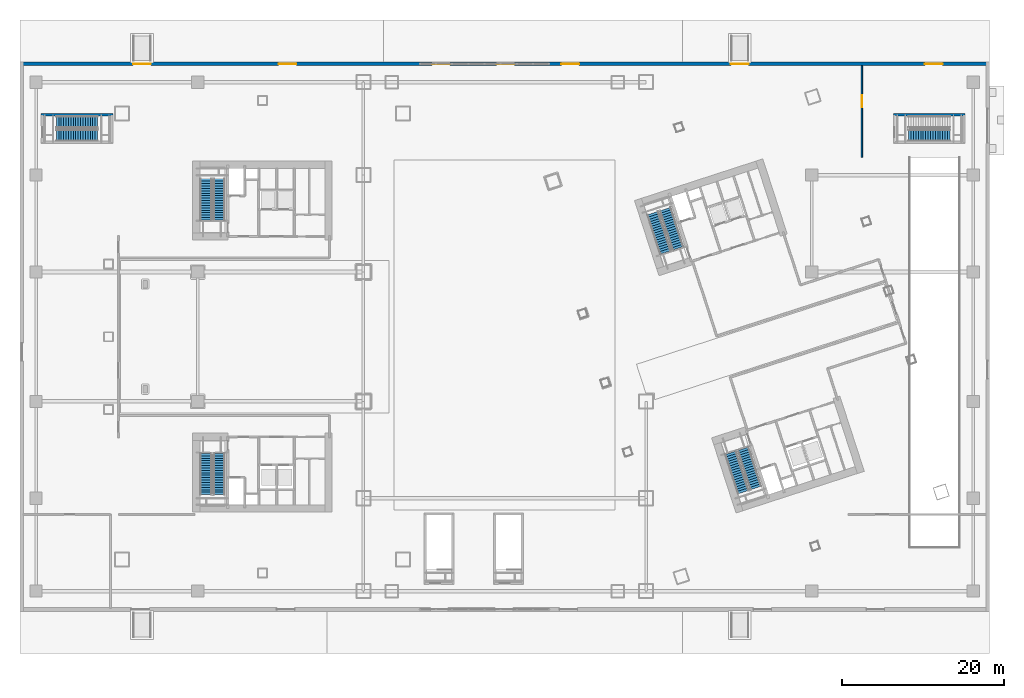
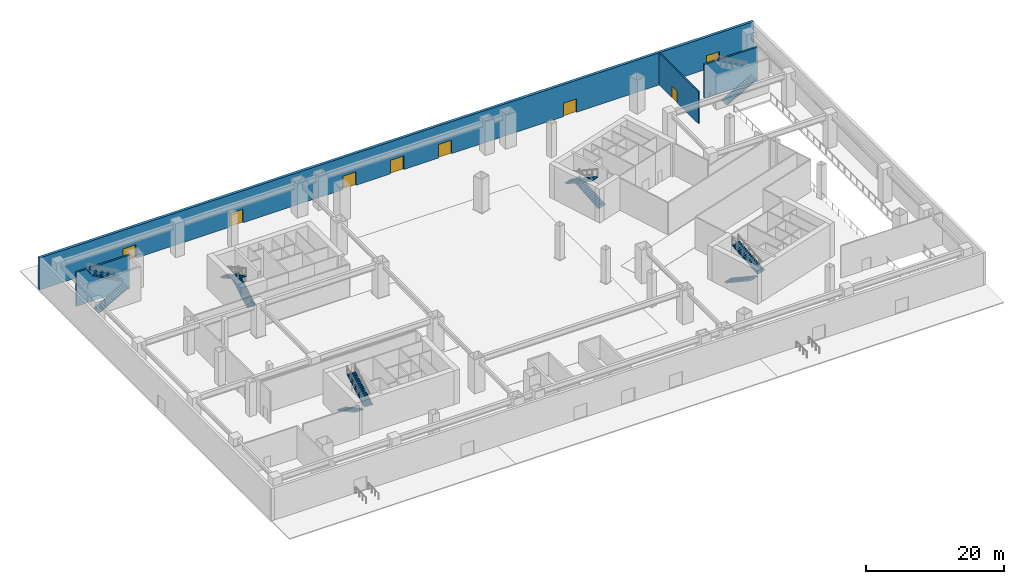
# One storey, part 18 of 31: 11 stair flights, 8 doors, 4 walls, 8 openings, 6 elements without a shape of their own.
"""IFC4 building model written with IfcOpenShell, lengths in metres."""

from ifc_helpers import new_model, si_unit, direction, frame, frame_2d, origin, place, context, subcontext, project, spatial, polyline, rectangle, outline, extrude, material, layer, layer_set, type_object, element, fill, aggregate, save


model = new_model("IFC4")

# Units and contexts
model_context = context("Model", 3, precision=1e-05, world=origin(), true_north=direction((0.0, 1.0)))
body_context = subcontext(model_context, "Body", "Model", "MODEL_VIEW")
ifc_project = project(units=[si_unit("LENGTHUNIT", "METRE"), si_unit("AREAUNIT", "SQUARE_METRE"), si_unit("VOLUMEUNIT", "CUBIC_METRE"), si_unit("PLANEANGLEUNIT", "RADIAN"), si_unit("MASSUNIT", "GRAM", prefix="KILO")], contexts=[model_context])

# Site, building, storey
site_placement = place(None, origin())
site = spatial("IfcSite", under=ifc_project, at=site_placement, CompositionType="ELEMENT")
building_placement = place(site_placement, origin())
building = spatial("IfcBuilding", under=site, at=building_placement, Name="Qiaolan Cultural Towers", CompositionType="ELEMENT")
storey_placement = place(building_placement, origin())
storey = spatial("IfcBuildingStorey", under=building, at=storey_placement, Name="L00", CompositionType="ELEMENT", Elevation=0.0)

# Walls
ifc_material_1 = material(Name="Concrete C50", Category="concrete")
ifc_layer_1 = layer(ifc_material_1, 0.35009765625)
ifc_layer_set_1 = layer_set([ifc_layer_1], Name="Concrete C50")
wall_type_1 = type_object("IfcWallType", Name="WL-CORE-350", PredefinedType="SHEAR", material=ifc_layer_set_1)
for number, where, z_axis, x_axis, name in (
    (1, (2.60009765625, 61.449951171875, 0.0), (0.0, 0.0, 1.0), (1.0, 0.0, 0.0), "L00 STP1 Stair Shaft Wall N"),
    (2, (108.10009765625, 61.449951171875, 0.0), (0.0, 0.0, 1.0), (1.0, 0.0, 0.0), "L00 STP2 Stair Shaft Wall N"),
):
    element("IfcWall", number, at=place(storey_placement, frame(where, z_axis=z_axis, x_axis=x_axis)), inside=storey, type_object=wall_type_1, Name=name, PredefinedType="SHEAR", context=body_context, shape_type="SweptSolid", body=[
        extrude(rectangle(XDim=8.89990234375, YDim=0.300048828125, at=frame_2d((4.449951171875, 0.0))), origin(), (0.0, 0.0, 1.0), 6.0),
    ])

# Wall, openings, doors
ifc_material_2 = material(Name="Precast Concrete C50 Bush-Hammered Granite Pier", Category="masonry")
ifc_layer_2 = layer(ifc_material_2, 0.449951171875)
ifc_layer_set_2 = layer_set([ifc_layer_2], Name="Precast Concrete C50 Bush-Hammered Granite Pier")
wall_type_2 = type_object("IfcWallType", Name="WL-EXT-POD-450", PredefinedType="SOLIDWALL", material=ifc_layer_set_2)
wall_1_placement = place(storey_placement, frame((0.0, 67.77490234375, 0.0), z_axis=(0.0, 0.0, 1.0), x_axis=(1.0, 0.0, 0.0)))
wall_1 = element("IfcWall", 3, at=wall_1_placement, inside=storey, type_object=wall_type_2, Name="L00 Podium Precast Facade Wall NORTH", PredefinedType="SOLIDWALL", context=body_context, shape_type="SweptSolid", body=[
    extrude(rectangle(XDim=120.0, YDim=0.449951171875, at=frame_2d((60.0, 0.0))), origin(), (0.0, 0.0, 1.0), 5.699951171875),
])
opening_1_placement = place(wall_1_placement, frame((14.0, 0.0, 0.0)))
opening_1 = element("IfcOpeningElement", 4, at=opening_1_placement, cuts=wall_1, Name="Opening EX-08", PredefinedType="OPENING", context=body_context, shape_type="SweptSolid", body=[
    extrude(rectangle(XDim=2.199951171875, YDim=2.39990234375, at=frame_2d((1.10009765625, 1.199951171875))), frame((0.0, 0.23486328125, 0.0), z_axis=(0.0, -1.0, 0.0), x_axis=(1.0, 0.0, 0.0)), (0.0, 0.0, 1.0), 0.469970703125),
])
opening_2_placement = place(wall_1_placement, frame((32.0, 0.0, 0.0)))
opening_2 = element("IfcOpeningElement", 5, at=opening_2_placement, cuts=wall_1, Name="Opening EX-09", PredefinedType="OPENING", context=body_context, shape_type="SweptSolid", body=[
    extrude(rectangle(XDim=2.199951171875, YDim=2.39990234375, at=frame_2d((1.10009765625, 1.199951171875))), frame((0.0, 0.23486328125, 0.0), z_axis=(0.0, -1.0, 0.0), x_axis=(1.0, 0.0, 0.0)), (0.0, 0.0, 1.0), 0.469970703125),
])
opening_3_placement = place(wall_1_placement, frame((51.0, 0.0, 0.0)))
opening_3 = element("IfcOpeningElement", 6, at=opening_3_placement, cuts=wall_1, Name="Opening EX-10", PredefinedType="OPENING", context=body_context, shape_type="SweptSolid", body=[
    extrude(rectangle(XDim=2.199951171875, YDim=2.39990234375, at=frame_2d((1.10009765625, 1.199951171875))), frame((0.0, 0.23486328125, 0.0), z_axis=(0.0, -1.0, 0.0), x_axis=(1.0, 0.0, 0.0)), (0.0, 0.0, 1.0), 0.469970703125),
])
opening_4_placement = place(wall_1_placement, frame((59.0, 0.0, 0.0)))
opening_4 = element("IfcOpeningElement", 7, at=opening_4_placement, cuts=wall_1, Name="Opening EX-11", PredefinedType="OPENING", context=body_context, shape_type="SweptSolid", body=[
    extrude(rectangle(XDim=2.199951171875, YDim=2.39990234375, at=frame_2d((1.10009765625, 1.199951171875))), frame((0.0, 0.23486328125, 0.0), z_axis=(0.0, -1.0, 0.0), x_axis=(1.0, 0.0, 0.0)), (0.0, 0.0, 1.0), 0.469970703125),
])
opening_5_placement = place(wall_1_placement, frame((67.0, 0.0, 0.0)))
opening_5 = element("IfcOpeningElement", 8, at=opening_5_placement, cuts=wall_1, Name="Opening EX-12", PredefinedType="OPENING", context=body_context, shape_type="SweptSolid", body=[
    extrude(rectangle(XDim=2.199951171875, YDim=2.39990234375, at=frame_2d((1.10009765625, 1.199951171875))), frame((0.0, 0.23486328125, 0.0), z_axis=(0.0, -1.0, 0.0), x_axis=(1.0, 0.0, 0.0)), (0.0, 0.0, 1.0), 0.469970703125),
])
opening_6_placement = place(wall_1_placement, frame((88.0, 0.0, 0.0)))
opening_6 = element("IfcOpeningElement", 9, at=opening_6_placement, cuts=wall_1, Name="Opening EX-13", PredefinedType="OPENING", context=body_context, shape_type="SweptSolid", body=[
    extrude(rectangle(XDim=2.199951171875, YDim=2.39990234375, at=frame_2d((1.10009765625, 1.199951171875))), frame((0.0, 0.23486328125, 0.0), z_axis=(0.0, -1.0, 0.0), x_axis=(1.0, 0.0, 0.0)), (0.0, 0.0, 1.0), 0.469970703125),
])
opening_7_placement = place(wall_1_placement, frame((112.0, 0.0, 0.0)))
opening_7 = element("IfcOpeningElement", 10, at=opening_7_placement, cuts=wall_1, Name="Opening EX-14", PredefinedType="OPENING", context=body_context, shape_type="SweptSolid", body=[
    extrude(rectangle(XDim=2.199951171875, YDim=2.39990234375, at=frame_2d((1.10009765625, 1.199951171875))), frame((0.0, 0.23486328125, 0.0), z_axis=(0.0, -1.0, 0.0), x_axis=(1.0, 0.0, 0.0)), (0.0, 0.0, 1.0), 0.469970703125),
])
ifc_material_3 = material(Name="Anodized Aluminium Framed Tempered Glass Exit Door", Category="aluminium")
door_type_1 = type_object("IfcDoorType", Name="DR-EXIT-2200", OperationType="NOTDEFINED", PredefinedType="DOOR", material=ifc_material_3)
door_1_placement = place(opening_1_placement, origin())
door_1 = element("IfcDoor", 11, at=door_1_placement, inside=storey, type_object=door_type_1, Name="West Lobby North Exit Door EX-08", OperationType="SINGLE_SWING_RIGHT", OverallHeight=2.39990234375, OverallWidth=2.199951171875, PredefinedType="DOOR", context=body_context, shape_type="SweptSolid", body=[
    extrude(rectangle(XDim=2.199951171875, YDim=2.39990234375, at=frame_2d((1.10009765625, 1.199951171875))), frame((0.0, 0.02490234375, 0.0), z_axis=(0.0, -1.0, 0.0), x_axis=(1.0, 0.0, 0.0)), (0.0, 0.0, 1.0), 0.050048828125),
])
fill(opening_1, door_1)
door_2_placement = place(opening_2_placement, origin())
door_2 = element("IfcDoor", 12, at=door_2_placement, inside=storey, type_object=door_type_1, Name="North Civic Arcade Exit Door EX-09", OperationType="SINGLE_SWING_LEFT", OverallHeight=2.39990234375, OverallWidth=2.199951171875, PredefinedType="DOOR", context=body_context, shape_type="SweptSolid", body=[
    extrude(rectangle(XDim=2.199951171875, YDim=2.39990234375, at=frame_2d((1.10009765625, 1.199951171875))), frame((0.0, 0.02490234375, 0.0), z_axis=(0.0, -1.0, 0.0), x_axis=(1.0, 0.0, 0.0)), (0.0, 0.0, 1.0), 0.050048828125),
])
fill(opening_2, door_2)
door_3_placement = place(opening_3_placement, origin())
door_3 = element("IfcDoor", 13, at=door_3_placement, inside=storey, type_object=door_type_1, Name="Metro Concourse North Exit Door EX-10", OperationType="SINGLE_SWING_RIGHT", OverallHeight=2.39990234375, OverallWidth=2.199951171875, PredefinedType="DOOR", context=body_context, shape_type="SweptSolid", body=[
    extrude(rectangle(XDim=2.199951171875, YDim=2.39990234375, at=frame_2d((1.10009765625, 1.199951171875))), frame((0.0, 0.02490234375, 0.0), z_axis=(0.0, -1.0, 0.0), x_axis=(1.0, 0.0, 0.0)), (0.0, 0.0, 1.0), 0.050048828125),
])
fill(opening_3, door_3)
door_4_placement = place(opening_4_placement, origin())
door_4 = element("IfcDoor", 14, at=door_4_placement, inside=storey, type_object=door_type_1, Name="Metro Concourse North Exit Door EX-11", OperationType="SINGLE_SWING_LEFT", OverallHeight=2.39990234375, OverallWidth=2.199951171875, PredefinedType="DOOR", context=body_context, shape_type="SweptSolid", body=[
    extrude(rectangle(XDim=2.199951171875, YDim=2.39990234375, at=frame_2d((1.10009765625, 1.199951171875))), frame((0.0, 0.02490234375, 0.0), z_axis=(0.0, -1.0, 0.0), x_axis=(1.0, 0.0, 0.0)), (0.0, 0.0, 1.0), 0.050048828125),
])
fill(opening_4, door_4)
door_5_placement = place(opening_5_placement, origin())
door_5 = element("IfcDoor", 15, at=door_5_placement, inside=storey, type_object=door_type_1, Name="Metro Concourse North Exit Door EX-12", OperationType="SINGLE_SWING_RIGHT", OverallHeight=2.39990234375, OverallWidth=2.199951171875, PredefinedType="DOOR", context=body_context, shape_type="SweptSolid", body=[
    extrude(rectangle(XDim=2.199951171875, YDim=2.39990234375, at=frame_2d((1.10009765625, 1.199951171875))), frame((0.0, 0.02490234375, 0.0), z_axis=(0.0, -1.0, 0.0), x_axis=(1.0, 0.0, 0.0)), (0.0, 0.0, 1.0), 0.050048828125),
])
fill(opening_5, door_5)
door_6_placement = place(opening_6_placement, origin())
door_6 = element("IfcDoor", 16, at=door_6_placement, inside=storey, type_object=door_type_1, Name="East Lobby North Exit Door EX-13", OperationType="SINGLE_SWING_LEFT", OverallHeight=2.39990234375, OverallWidth=2.199951171875, PredefinedType="DOOR", context=body_context, shape_type="SweptSolid", body=[
    extrude(rectangle(XDim=2.199951171875, YDim=2.39990234375, at=frame_2d((1.10009765625, 1.199951171875))), frame((0.0, 0.02490234375, 0.0), z_axis=(0.0, -1.0, 0.0), x_axis=(1.0, 0.0, 0.0)), (0.0, 0.0, 1.0), 0.050048828125),
])
fill(opening_6, door_6)
door_7_placement = place(opening_7_placement, origin())
door_7 = element("IfcDoor", 17, at=door_7_placement, inside=storey, type_object=door_type_1, Name="Northeast Stair Discharge Exit Door EX-14", OperationType="SINGLE_SWING_RIGHT", OverallHeight=2.39990234375, OverallWidth=2.199951171875, PredefinedType="DOOR", context=body_context, shape_type="SweptSolid", body=[
    extrude(rectangle(XDim=2.199951171875, YDim=2.39990234375, at=frame_2d((1.10009765625, 1.199951171875))), frame((0.0, 0.02490234375, 0.0), z_axis=(0.0, -1.0, 0.0), x_axis=(1.0, 0.0, 0.0)), (0.0, 0.0, 1.0), 0.050048828125),
])
fill(opening_7, door_7)

# Wall, opening, door
ifc_material_4 = material(Name="Concrete C35 Fire Wall", Category="concrete")
ifc_layer_3 = layer(ifc_material_4, 0.199951171875)
ifc_layer_set_3 = layer_set([ifc_layer_3], Name="Concrete C35 Fire Wall")
wall_type_3 = type_object("IfcWallType", Name="WL-FIRE-200", PredefinedType="PARTITIONING", material=ifc_layer_set_3)
wall_2_placement = place(storey_placement, frame((104.199951171875, 56.199951171875, 0.0), z_axis=(0.0, 0.0, 1.0), x_axis=(0.0, 1.0, 0.0)))
wall_2 = element("IfcWall", 18, at=wall_2_placement, inside=storey, type_object=wall_type_3, Name="L00 Podium Partition L00-NE-EXW", PredefinedType="PARTITIONING", context=body_context, shape_type="SweptSolid", body=[
    extrude(rectangle(XDim=11.35009765625, YDim=0.199951171875, at=frame_2d((5.675048828125, 0.0))), origin(), (0.0, 0.0, 1.0), 5.68505859375),
])
opening_8_placement = place(wall_2_placement, frame((6.199951171875, 0.0, 0.0)))
opening_8 = element("IfcOpeningElement", 19, at=opening_8_placement, cuts=wall_2, Name="Opening FD-02", PredefinedType="OPENING", context=body_context, shape_type="SweptSolid", body=[
    extrude(rectangle(XDim=1.5, YDim=2.050048828125, at=frame_2d((0.75, 1.02490234375))), frame((0.0, 0.10986328125, 0.0), z_axis=(0.0, -1.0, 0.0), x_axis=(1.0, 0.0, 0.0)), (0.0, 0.0, 1.0), 0.219970703125),
])
ifc_material_5 = material(Name="Galvanized Steel Double Fire Door", Category="steel")
door_type_2 = type_object("IfcDoorType", Name="DR-FD90-1500", OperationType="NOTDEFINED", PredefinedType="DOOR", material=ifc_material_5)
door_8_placement = place(opening_8_placement, origin())
door_8 = element("IfcDoor", 20, at=door_8_placement, inside=storey, type_object=door_type_2, Name="Northeast Protected Stair Exit Corridor Fire Door", OperationType="SINGLE_SWING_LEFT", OverallHeight=2.050048828125, OverallWidth=1.5, PredefinedType="DOOR", context=body_context, shape_type="SweptSolid", body=[
    extrude(rectangle(XDim=1.5, YDim=2.050048828125, at=frame_2d((0.75, 1.02490234375))), frame((0.0, 0.02490234375, 0.0), z_axis=(0.0, -1.0, 0.0), x_axis=(1.0, 0.0, 0.0)), (0.0, 0.0, 1.0), 0.050048828125),
])
fill(opening_8, door_8)

# Stair, stair flights
ifc_material_6 = material(Name="Concrete C45", Category="concrete")
stair_type_1 = type_object("IfcStairType", Name="STR-CORE-1500", PredefinedType="HALF_TURN_STAIR", material=ifc_material_6)
stair_1_placement = place(storey_placement, origin())
stair_1 = element("IfcStair", 21, at=stair_1_placement, inside=storey, type_object=stair_type_1, Name="L00 Smokeproof Exit Stair ST-W1", PredefinedType="HALF_TURN_STAIR")
ifc_material_7 = material(Name="Concrete C45", Category="concrete")
stair_flight_type_1 = type_object("IfcStairFlightType", Name="STR-CORE-1500-FL", PredefinedType="STRAIGHT", material=ifc_material_7)
stair_flight_1_placement = place(storey_placement, frame((23.02001953125, 19.550048828125, 0.0), z_axis=(0.0, 0.0, 1.0), x_axis=(0.0, -1.0, 0.0)))
stair_flight_1 = element("IfcStairFlight", 22, at=stair_flight_1_placement, type_object=stair_flight_type_1, Name="ST-W1 flight 1", NumberOfRisers=18, NumberOfTreads=17, PredefinedType="STRAIGHT", RiserHeight=0.166666667, TreadLength=0.3, context=body_context, shape_type="SweptSolid", body=[
    extrude(outline(polyline([(0.0, 0.0), (0.0, 0.166748046875), (0.300048828125, 0.166748046875), (0.300048828125, 0.333251953125), (0.60009765625, 0.333251953125), (0.60009765625, 0.5), (0.89990234375, 0.5), (0.89990234375, 0.666748046875), (1.199951171875, 0.666748046875), (1.199951171875, 0.833251953125), (1.5, 0.833251953125), (1.5, 1.0), (1.800048828125, 1.0), (1.800048828125, 1.166748046875), (2.10009765625, 1.166748046875), (2.10009765625, 1.333251953125), (2.39990234375, 1.333251953125), (2.39990234375, 1.5), (2.699951171875, 1.5), (2.699951171875, 1.666748046875), (3.0, 1.666748046875), (3.0, 1.833251953125), (3.300048828125, 1.833251953125), (3.300048828125, 2.0), (3.60009765625, 2.0), (3.60009765625, 2.166748046875), (3.89990234375, 2.166748046875), (3.89990234375, 2.333251953125), (4.199951171875, 2.333251953125), (4.199951171875, 2.5), (4.5, 2.5), (4.5, 2.666748046875), (4.800048828125, 2.666748046875), (4.800048828125, 2.833251953125), (5.10009765625, 2.833251953125), (5.10009765625, 3.0), (5.10009765625, 2.661865234375), (0.30859375, 0.0), (0.0, 0.0)])), frame((0.0, 0.719970703125, 0.0), z_axis=(0.0, -1.0, 0.0), x_axis=(1.0, 0.0, 0.0)), (0.0, 0.0, 1.0), 1.43994140625),
])
stair_flight_2_placement = place(storey_placement, frame((24.659912109375, 14.449951171875, 3.0), z_axis=(0.0, 0.0, 1.0), x_axis=(0.0, 1.0, 0.0)))
stair_flight_2 = element("IfcStairFlight", 23, at=stair_flight_2_placement, type_object=stair_flight_type_1, Name="ST-W1 flight 2", NumberOfRisers=18, NumberOfTreads=17, PredefinedType="STRAIGHT", RiserHeight=0.166666667, TreadLength=0.3, context=body_context, shape_type="SweptSolid", body=[
    extrude(outline(polyline([(0.0, 0.0), (0.0, 0.166748046875), (0.300048828125, 0.166748046875), (0.300048828125, 0.333251953125), (0.60009765625, 0.333251953125), (0.60009765625, 0.5), (0.89990234375, 0.5), (0.89990234375, 0.666748046875), (1.199951171875, 0.666748046875), (1.199951171875, 0.833251953125), (1.5, 0.833251953125), (1.5, 1.0), (1.800048828125, 1.0), (1.800048828125, 1.166748046875), (2.10009765625, 1.166748046875), (2.10009765625, 1.333251953125), (2.39990234375, 1.333251953125), (2.39990234375, 1.5), (2.699951171875, 1.5), (2.699951171875, 1.666748046875), (3.0, 1.666748046875), (3.0, 1.833251953125), (3.300048828125, 1.833251953125), (3.300048828125, 2.0), (3.60009765625, 2.0), (3.60009765625, 2.166748046875), (3.89990234375, 2.166748046875), (3.89990234375, 2.333251953125), (4.199951171875, 2.333251953125), (4.199951171875, 2.5), (4.5, 2.5), (4.5, 2.666748046875), (4.800048828125, 2.666748046875), (4.800048828125, 2.833251953125), (5.10009765625, 2.833251953125), (5.10009765625, 3.0), (5.10009765625, 2.661865234375), (0.30859375, 0.0), (0.0, 0.0)])), frame((0.0, 0.719970703125, 0.0), z_axis=(0.0, -1.0, 0.0), x_axis=(1.0, 0.0, 0.0)), (0.0, 0.0, 1.0), 1.43994140625),
])
aggregate(stair_1, [stair_flight_1, stair_flight_2])

stair_2_placement = place(storey_placement, origin())
stair_2 = element("IfcStair", 24, at=stair_2_placement, inside=storey, type_object=stair_type_1, Name="L00 Smokeproof Exit Stair ST-W2", PredefinedType="HALF_TURN_STAIR")
stair_flight_3_placement = place(storey_placement, frame((24.659912109375, 48.449951171875, 0.0), z_axis=(0.0, 0.0, 1.0), x_axis=(0.0, 1.0, 0.0)))
stair_flight_3 = element("IfcStairFlight", 25, at=stair_flight_3_placement, type_object=stair_flight_type_1, Name="ST-W2 flight 1", NumberOfRisers=18, NumberOfTreads=17, PredefinedType="STRAIGHT", RiserHeight=0.166666667, TreadLength=0.3, context=body_context, shape_type="SweptSolid", body=[
    extrude(outline(polyline([(0.0, 0.0), (0.0, 0.166748046875), (0.300048828125, 0.166748046875), (0.300048828125, 0.333251953125), (0.60009765625, 0.333251953125), (0.60009765625, 0.5), (0.89990234375, 0.5), (0.89990234375, 0.666748046875), (1.199951171875, 0.666748046875), (1.199951171875, 0.833251953125), (1.5, 0.833251953125), (1.5, 1.0), (1.800048828125, 1.0), (1.800048828125, 1.166748046875), (2.10009765625, 1.166748046875), (2.10009765625, 1.333251953125), (2.39990234375, 1.333251953125), (2.39990234375, 1.5), (2.699951171875, 1.5), (2.699951171875, 1.666748046875), (3.0, 1.666748046875), (3.0, 1.833251953125), (3.300048828125, 1.833251953125), (3.300048828125, 2.0), (3.60009765625, 2.0), (3.60009765625, 2.166748046875), (3.89990234375, 2.166748046875), (3.89990234375, 2.333251953125), (4.199951171875, 2.333251953125), (4.199951171875, 2.5), (4.5, 2.5), (4.5, 2.666748046875), (4.800048828125, 2.666748046875), (4.800048828125, 2.833251953125), (5.10009765625, 2.833251953125), (5.10009765625, 3.0), (5.10009765625, 2.661865234375), (0.30859375, 0.0), (0.0, 0.0)])), frame((0.0, 0.719970703125, 0.0), z_axis=(0.0, -1.0, 0.0), x_axis=(1.0, 0.0, 0.0)), (0.0, 0.0, 1.0), 1.43994140625),
])
stair_flight_4_placement = place(storey_placement, frame((23.02001953125, 53.550048828125, 3.0), z_axis=(0.0, 0.0, 1.0), x_axis=(0.0, -1.0, 0.0)))
stair_flight_4 = element("IfcStairFlight", 26, at=stair_flight_4_placement, type_object=stair_flight_type_1, Name="ST-W2 flight 2", NumberOfRisers=18, NumberOfTreads=17, PredefinedType="STRAIGHT", RiserHeight=0.166666667, TreadLength=0.3, context=body_context, shape_type="SweptSolid", body=[
    extrude(outline(polyline([(0.0, 0.0), (0.0, 0.166748046875), (0.300048828125, 0.166748046875), (0.300048828125, 0.333251953125), (0.60009765625, 0.333251953125), (0.60009765625, 0.5), (0.89990234375, 0.5), (0.89990234375, 0.666748046875), (1.199951171875, 0.666748046875), (1.199951171875, 0.833251953125), (1.5, 0.833251953125), (1.5, 1.0), (1.800048828125, 1.0), (1.800048828125, 1.166748046875), (2.10009765625, 1.166748046875), (2.10009765625, 1.333251953125), (2.39990234375, 1.333251953125), (2.39990234375, 1.5), (2.699951171875, 1.5), (2.699951171875, 1.666748046875), (3.0, 1.666748046875), (3.0, 1.833251953125), (3.300048828125, 1.833251953125), (3.300048828125, 2.0), (3.60009765625, 2.0), (3.60009765625, 2.166748046875), (3.89990234375, 2.166748046875), (3.89990234375, 2.333251953125), (4.199951171875, 2.333251953125), (4.199951171875, 2.5), (4.5, 2.5), (4.5, 2.666748046875), (4.800048828125, 2.666748046875), (4.800048828125, 2.833251953125), (5.10009765625, 2.833251953125), (5.10009765625, 3.0), (5.10009765625, 2.661865234375), (0.30859375, 0.0), (0.0, 0.0)])), frame((0.0, 0.719970703125, 0.0), z_axis=(0.0, -1.0, 0.0), x_axis=(1.0, 0.0, 0.0)), (0.0, 0.0, 1.0), 1.43994140625),
])
aggregate(stair_2, [stair_flight_3, stair_flight_4])

stair_3_placement = place(storey_placement, origin())
stair_3 = element("IfcStair", 27, at=stair_3_placement, inside=storey, type_object=stair_type_1, Name="L00 Smokeproof Exit Stair ST-E1", PredefinedType="HALF_TURN_STAIR")
stair_flight_5_placement = place(storey_placement, frame((87.96484375, 19.6171875, 0.0), z_axis=(0.0, 0.0, 1.0), x_axis=(0.309016994375, -0.951056516295, 0.0)))
stair_flight_5 = element("IfcStairFlight", 28, at=stair_flight_5_placement, type_object=stair_flight_type_1, Name="ST-E1 flight 1", NumberOfRisers=18, NumberOfTreads=17, PredefinedType="STRAIGHT", RiserHeight=0.166666667, TreadLength=0.3, context=body_context, shape_type="SweptSolid", body=[
    extrude(outline(polyline([(0.0, 0.0), (0.0, 0.166748046875), (0.300048828125, 0.166748046875), (0.300048828125, 0.333251953125), (0.60009765625, 0.333251953125), (0.60009765625, 0.5), (0.89990234375, 0.5), (0.89990234375, 0.666748046875), (1.199951171875, 0.666748046875), (1.199951171875, 0.833251953125), (1.5, 0.833251953125), (1.5, 1.0), (1.800048828125, 1.0), (1.800048828125, 1.166748046875), (2.10009765625, 1.166748046875), (2.10009765625, 1.333251953125), (2.39990234375, 1.333251953125), (2.39990234375, 1.5), (2.699951171875, 1.5), (2.699951171875, 1.666748046875), (3.0, 1.666748046875), (3.0, 1.833251953125), (3.300048828125, 1.833251953125), (3.300048828125, 2.0), (3.60009765625, 2.0), (3.60009765625, 2.166748046875), (3.89990234375, 2.166748046875), (3.89990234375, 2.333251953125), (4.199951171875, 2.333251953125), (4.199951171875, 2.5), (4.5, 2.5), (4.5, 2.666748046875), (4.800048828125, 2.666748046875), (4.800048828125, 2.833251953125), (5.10009765625, 2.833251953125), (5.10009765625, 3.0), (5.10009765625, 2.661865234375), (0.30859375, 0.0), (0.0, 0.0)])), frame((0.0, 0.719970703125, 0.0), z_axis=(0.0, -1.0, 0.0), x_axis=(1.0, 0.0, 0.0)), (0.0, 0.0, 1.0), 1.43994140625),
])
stair_flight_6_placement = place(storey_placement, frame((91.1005859375, 15.273681640625, 3.0), z_axis=(0.0, 0.0, 1.0), x_axis=(-0.309016994375, 0.951056516295, 0.0)))
stair_flight_6 = element("IfcStairFlight", 29, at=stair_flight_6_placement, type_object=stair_flight_type_1, Name="ST-E1 flight 2", NumberOfRisers=18, NumberOfTreads=17, PredefinedType="STRAIGHT", RiserHeight=0.166666667, TreadLength=0.3, context=body_context, shape_type="SweptSolid", body=[
    extrude(outline(polyline([(0.0, 0.0), (0.0, 0.166748046875), (0.300048828125, 0.166748046875), (0.300048828125, 0.333251953125), (0.60009765625, 0.333251953125), (0.60009765625, 0.5), (0.89990234375, 0.5), (0.89990234375, 0.666748046875), (1.199951171875, 0.666748046875), (1.199951171875, 0.833251953125), (1.5, 0.833251953125), (1.5, 1.0), (1.800048828125, 1.0), (1.800048828125, 1.166748046875), (2.10009765625, 1.166748046875), (2.10009765625, 1.333251953125), (2.39990234375, 1.333251953125), (2.39990234375, 1.5), (2.699951171875, 1.5), (2.699951171875, 1.666748046875), (3.0, 1.666748046875), (3.0, 1.833251953125), (3.300048828125, 1.833251953125), (3.300048828125, 2.0), (3.60009765625, 2.0), (3.60009765625, 2.166748046875), (3.89990234375, 2.166748046875), (3.89990234375, 2.333251953125), (4.199951171875, 2.333251953125), (4.199951171875, 2.5), (4.5, 2.5), (4.5, 2.666748046875), (4.800048828125, 2.666748046875), (4.800048828125, 2.833251953125), (5.10009765625, 2.833251953125), (5.10009765625, 3.0), (5.10009765625, 2.661865234375), (0.30859375, 0.0), (0.0, 0.0)])), frame((0.0, 0.719970703125, 0.0), z_axis=(0.0, -1.0, 0.0), x_axis=(1.0, 0.0, 0.0)), (0.0, 0.0, 1.0), 1.43994140625),
])
aggregate(stair_3, [stair_flight_5, stair_flight_6])

stair_4_placement = place(storey_placement, origin())
stair_4 = element("IfcStair", 30, at=stair_4_placement, inside=storey, type_object=stair_type_1, Name="L00 Smokeproof Exit Stair ST-E2", PredefinedType="HALF_TURN_STAIR")
stair_flight_7_placement = place(storey_placement, frame((81.459228515625, 44.946533203125, 0.0), z_axis=(0.0, 0.0, 1.0), x_axis=(-0.309016994375, 0.951056516295, 0.0)))
stair_flight_7 = element("IfcStairFlight", 31, at=stair_flight_7_placement, type_object=stair_flight_type_1, Name="ST-E2 flight 1", NumberOfRisers=18, NumberOfTreads=17, PredefinedType="STRAIGHT", RiserHeight=0.166666667, TreadLength=0.3, context=body_context, shape_type="SweptSolid", body=[
    extrude(outline(polyline([(0.0, 0.0), (0.0, 0.166748046875), (0.300048828125, 0.166748046875), (0.300048828125, 0.333251953125), (0.60009765625, 0.333251953125), (0.60009765625, 0.5), (0.89990234375, 0.5), (0.89990234375, 0.666748046875), (1.199951171875, 0.666748046875), (1.199951171875, 0.833251953125), (1.5, 0.833251953125), (1.5, 1.0), (1.800048828125, 1.0), (1.800048828125, 1.166748046875), (2.10009765625, 1.166748046875), (2.10009765625, 1.333251953125), (2.39990234375, 1.333251953125), (2.39990234375, 1.5), (2.699951171875, 1.5), (2.699951171875, 1.666748046875), (3.0, 1.666748046875), (3.0, 1.833251953125), (3.300048828125, 1.833251953125), (3.300048828125, 2.0), (3.60009765625, 2.0), (3.60009765625, 2.166748046875), (3.89990234375, 2.166748046875), (3.89990234375, 2.333251953125), (4.199951171875, 2.333251953125), (4.199951171875, 2.5), (4.5, 2.5), (4.5, 2.666748046875), (4.800048828125, 2.666748046875), (4.800048828125, 2.833251953125), (5.10009765625, 2.833251953125), (5.10009765625, 3.0), (5.10009765625, 2.661865234375), (0.30859375, 0.0), (0.0, 0.0)])), frame((0.0, 0.719970703125, 0.0), z_axis=(0.0, -1.0, 0.0), x_axis=(1.0, 0.0, 0.0)), (0.0, 0.0, 1.0), 1.43994140625),
])
stair_flight_8_placement = place(storey_placement, frame((78.323486328125, 49.2900390625, 3.0), z_axis=(0.0, 0.0, 1.0), x_axis=(0.309016994375, -0.951056516295, 0.0)))
stair_flight_8 = element("IfcStairFlight", 32, at=stair_flight_8_placement, type_object=stair_flight_type_1, Name="ST-E2 flight 2", NumberOfRisers=18, NumberOfTreads=17, PredefinedType="STRAIGHT", RiserHeight=0.166666667, TreadLength=0.3, context=body_context, shape_type="SweptSolid", body=[
    extrude(outline(polyline([(0.0, 0.0), (0.0, 0.166748046875), (0.300048828125, 0.166748046875), (0.300048828125, 0.333251953125), (0.60009765625, 0.333251953125), (0.60009765625, 0.5), (0.89990234375, 0.5), (0.89990234375, 0.666748046875), (1.199951171875, 0.666748046875), (1.199951171875, 0.833251953125), (1.5, 0.833251953125), (1.5, 1.0), (1.800048828125, 1.0), (1.800048828125, 1.166748046875), (2.10009765625, 1.166748046875), (2.10009765625, 1.333251953125), (2.39990234375, 1.333251953125), (2.39990234375, 1.5), (2.699951171875, 1.5), (2.699951171875, 1.666748046875), (3.0, 1.666748046875), (3.0, 1.833251953125), (3.300048828125, 1.833251953125), (3.300048828125, 2.0), (3.60009765625, 2.0), (3.60009765625, 2.166748046875), (3.89990234375, 2.166748046875), (3.89990234375, 2.333251953125), (4.199951171875, 2.333251953125), (4.199951171875, 2.5), (4.5, 2.5), (4.5, 2.666748046875), (4.800048828125, 2.666748046875), (4.800048828125, 2.833251953125), (5.10009765625, 2.833251953125), (5.10009765625, 3.0), (5.10009765625, 2.661865234375), (0.30859375, 0.0), (0.0, 0.0)])), frame((0.0, 0.719970703125, 0.0), z_axis=(0.0, -1.0, 0.0), x_axis=(1.0, 0.0, 0.0)), (0.0, 0.0, 1.0), 1.43994140625),
])
aggregate(stair_4, [stair_flight_7, stair_flight_8])

ifc_material_8 = material(Name="Concrete C45", Category="concrete")
stair_type_2 = type_object("IfcStairType", Name="STR-POD-1650", PredefinedType="HALF_TURN_STAIR", material=ifc_material_8)
stair_5_placement = place(storey_placement, origin())
stair_5 = element("IfcStair", 33, at=stair_5_placement, inside=storey, type_object=stair_type_2, Name="L00 Podium Northwest Exit Stair ST-P1", PredefinedType="HALF_TURN_STAIR")
ifc_material_9 = material(Name="Concrete C45", Category="concrete")
stair_flight_type_2 = type_object("IfcStairFlightType", Name="STR-POD-1650-FL", PredefinedType="STRAIGHT", material=ifc_material_9)
stair_flight_9_placement = place(storey_placement, frame((4.5, 58.925048828125, 0.0), z_axis=(0.0, 0.0, 1.0), x_axis=(1.0, 0.0, 0.0)))
stair_flight_9 = element("IfcStairFlight", 34, at=stair_flight_9_placement, type_object=stair_flight_type_2, Name="ST-P1 flight 1", NumberOfRisers=18, NumberOfTreads=17, PredefinedType="STRAIGHT", RiserHeight=0.166666667, TreadLength=0.3, context=body_context, shape_type="SweptSolid", body=[
    extrude(outline(polyline([(0.0, 0.0), (0.0, 0.166748046875), (0.300048828125, 0.166748046875), (0.300048828125, 0.333251953125), (0.60009765625, 0.333251953125), (0.60009765625, 0.5), (0.89990234375, 0.5), (0.89990234375, 0.666748046875), (1.199951171875, 0.666748046875), (1.199951171875, 0.833251953125), (1.5, 0.833251953125), (1.5, 1.0), (1.800048828125, 1.0), (1.800048828125, 1.166748046875), (2.10009765625, 1.166748046875), (2.10009765625, 1.333251953125), (2.39990234375, 1.333251953125), (2.39990234375, 1.5), (2.699951171875, 1.5), (2.699951171875, 1.666748046875), (3.0, 1.666748046875), (3.0, 1.833251953125), (3.300048828125, 1.833251953125), (3.300048828125, 2.0), (3.60009765625, 2.0), (3.60009765625, 2.166748046875), (3.89990234375, 2.166748046875), (3.89990234375, 2.333251953125), (4.199951171875, 2.333251953125), (4.199951171875, 2.5), (4.5, 2.5), (4.5, 2.666748046875), (4.800048828125, 2.666748046875), (4.800048828125, 2.833251953125), (5.10009765625, 2.833251953125), (5.10009765625, 3.0), (5.10009765625, 2.661865234375), (0.30859375, 0.0), (0.0, 0.0)])), frame((0.0, 0.72509765625, 0.0), z_axis=(0.0, -1.0, 0.0), x_axis=(1.0, 0.0, 0.0)), (0.0, 0.0, 1.0), 1.449951171875),
])
stair_flight_10_placement = place(storey_placement, frame((9.60009765625, 60.574951171875, 3.0), z_axis=(0.0, 0.0, 1.0), x_axis=(-1.0, 0.0, 0.0)))
stair_flight_10 = element("IfcStairFlight", 35, at=stair_flight_10_placement, type_object=stair_flight_type_2, Name="ST-P1 flight 2", NumberOfRisers=18, NumberOfTreads=17, PredefinedType="STRAIGHT", RiserHeight=0.166666667, TreadLength=0.3, context=body_context, shape_type="SweptSolid", body=[
    extrude(outline(polyline([(0.0, 0.0), (0.0, 0.166748046875), (0.300048828125, 0.166748046875), (0.300048828125, 0.333251953125), (0.60009765625, 0.333251953125), (0.60009765625, 0.5), (0.89990234375, 0.5), (0.89990234375, 0.666748046875), (1.199951171875, 0.666748046875), (1.199951171875, 0.833251953125), (1.5, 0.833251953125), (1.5, 1.0), (1.800048828125, 1.0), (1.800048828125, 1.166748046875), (2.10009765625, 1.166748046875), (2.10009765625, 1.333251953125), (2.39990234375, 1.333251953125), (2.39990234375, 1.5), (2.699951171875, 1.5), (2.699951171875, 1.666748046875), (3.0, 1.666748046875), (3.0, 1.833251953125), (3.300048828125, 1.833251953125), (3.300048828125, 2.0), (3.60009765625, 2.0), (3.60009765625, 2.166748046875), (3.89990234375, 2.166748046875), (3.89990234375, 2.333251953125), (4.199951171875, 2.333251953125), (4.199951171875, 2.5), (4.5, 2.5), (4.5, 2.666748046875), (4.800048828125, 2.666748046875), (4.800048828125, 2.833251953125), (5.10009765625, 2.833251953125), (5.10009765625, 3.0), (5.10009765625, 2.661865234375), (0.30859375, 0.0), (0.0, 0.0)])), frame((0.0, 0.72509765625, 0.0), z_axis=(0.0, -1.0, 0.0), x_axis=(1.0, 0.0, 0.0)), (0.0, 0.0, 1.0), 1.449951171875),
])
aggregate(stair_5, [stair_flight_9, stair_flight_10])

# Stair, stair flight
stair_6_placement = place(storey_placement, origin())
stair_6 = element("IfcStair", 36, at=stair_6_placement, inside=storey, type_object=stair_type_2, Name="L00 Podium Northeast Exit Stair ST-P2", PredefinedType="HALF_TURN_STAIR")
stair_flight_11_placement = place(storey_placement, frame((110.0, 58.925048828125, 0.0), z_axis=(0.0, 0.0, 1.0), x_axis=(1.0, 0.0, 0.0)))
stair_flight_11 = element("IfcStairFlight", 37, at=stair_flight_11_placement, type_object=stair_flight_type_2, Name="ST-P2 flight 1", NumberOfRisers=18, NumberOfTreads=17, PredefinedType="STRAIGHT", RiserHeight=0.166666667, TreadLength=0.3, context=body_context, shape_type="SweptSolid", body=[
    extrude(outline(polyline([(0.0, 0.0), (0.0, 0.166748046875), (0.300048828125, 0.166748046875), (0.300048828125, 0.333251953125), (0.60009765625, 0.333251953125), (0.60009765625, 0.5), (0.89990234375, 0.5), (0.89990234375, 0.666748046875), (1.199951171875, 0.666748046875), (1.199951171875, 0.833251953125), (1.5, 0.833251953125), (1.5, 1.0), (1.800048828125, 1.0), (1.800048828125, 1.166748046875), (2.10009765625, 1.166748046875), (2.10009765625, 1.333251953125), (2.39990234375, 1.333251953125), (2.39990234375, 1.5), (2.699951171875, 1.5), (2.699951171875, 1.666748046875), (3.0, 1.666748046875), (3.0, 1.833251953125), (3.300048828125, 1.833251953125), (3.300048828125, 2.0), (3.60009765625, 2.0), (3.60009765625, 2.166748046875), (3.89990234375, 2.166748046875), (3.89990234375, 2.333251953125), (4.199951171875, 2.333251953125), (4.199951171875, 2.5), (4.5, 2.5), (4.5, 2.666748046875), (4.800048828125, 2.666748046875), (4.800048828125, 2.833251953125), (5.10009765625, 2.833251953125), (5.10009765625, 3.0), (5.10009765625, 2.661865234375), (0.30859375, 0.0), (0.0, 0.0)])), frame((0.0, 0.72509765625, 0.0), z_axis=(0.0, -1.0, 0.0), x_axis=(1.0, 0.0, 0.0)), (0.0, 0.0, 1.0), 1.449951171875),
])
aggregate(stair_6, [stair_flight_11])

save(model, "model.ifc")
